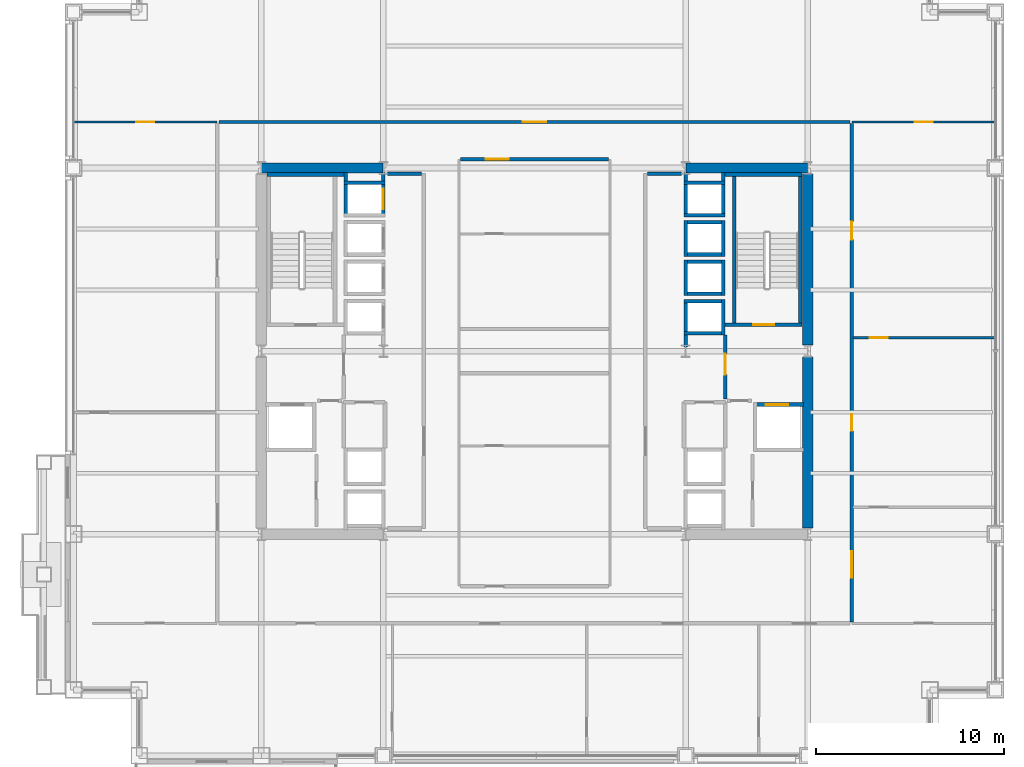
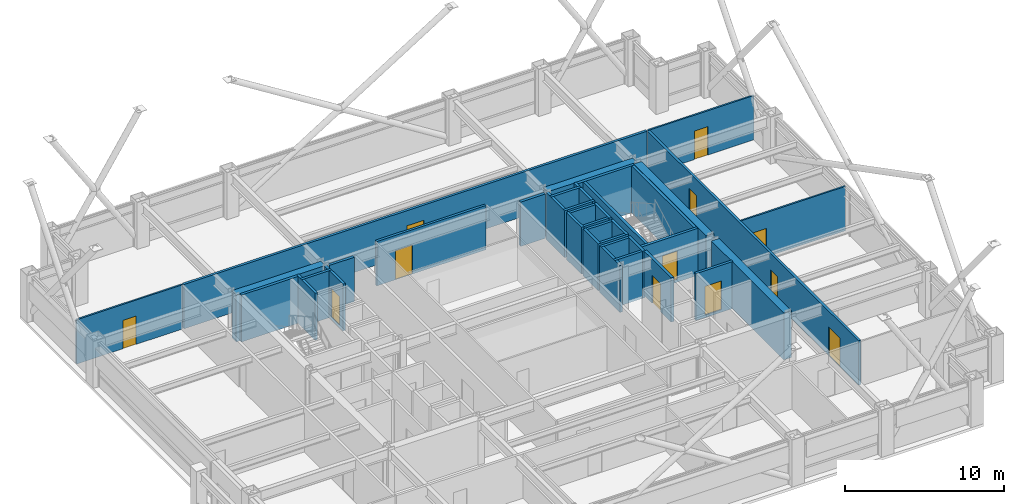
# One storey, part 27 of 30: 38 walls, 12 doors, 12 openings.
"""IFC4 building model written with IfcOpenShell, lengths in metres."""

import ifcopenshell
import ifcopenshell.guid

model = None  # the IFC model being written
_history = None  # IfcOwnerHistory: only IFC2X3 demands one
_inside = {}  # id of a spatial element -> (the spatial element, [elements in it])
_under = {}  # id of a project, library or spatial element -> (it, [spatial elements below it])
_declared = {}  # id of a project -> (the project, [libraries it declares])
_typed = {}  # id of a type object -> (the type object, [elements of that type])
_made_of = {}  # id of a material, layer set ... -> (it, [elements and type objects made of it])


def new_model(schema):
    """Start an empty IFC model of exactly this schema.

    Asked for "IFC4X3", IfcOpenShell would pick the latest addendum, in which some entities
    have other attributes; the version numbers below select the first issue.
    IFC2X3 requires an IfcOwnerHistory on every rooted entity: one is made here for all.
    """
    global model, _history
    if schema == "IFC4X3":
        model = ifcopenshell.file(schema_version=(4, 3, 0, 0))
    else:
        model = ifcopenshell.file(schema=schema)
    _inside.clear()
    _under.clear()
    _declared.clear()
    _typed.clear()
    _made_of.clear()
    _history = None
    if model.schema == "IFC2X3":
        org = make("IfcOrganization", Name="unknown")
        user = make(
            "IfcPersonAndOrganization",
            ThePerson=make("IfcPerson", FamilyName="unknown"),
            TheOrganization=org,
        )
        app = make(
            "IfcApplication",
            ApplicationDeveloper=org,
            Version="unknown",
            ApplicationFullName="unknown",
            ApplicationIdentifier="unknown",
        )
        _history = make(
            "IfcOwnerHistory",
            OwningUser=user,
            OwningApplication=app,
            ChangeAction="ADDED",
            CreationDate=0,
        )
    return model


def make(cls, **values):
    """One entity of the class cls with the attributes given. An attribute that is None is left unset."""
    return model.create_entity(
        cls, **{name: value for name, value in values.items() if value is not None}
    )


def rooted(cls, **values):
    """An entity with a GlobalId (a new one), such as an element, a storey or a relation."""
    return make(cls, GlobalId=ifcopenshell.guid.new(), OwnerHistory=_history, **values)


def si_unit(unit_type, name, prefix=None):
    """IfcSIUnit, for example si_unit("LENGTHUNIT", "METRE", prefix="MILLI")."""
    return make("IfcSIUnit", UnitType=unit_type, Prefix=prefix, Name=name)


def assignment(units):
    """IfcUnitAssignment: the units of a project."""
    return None if units is None else make("IfcUnitAssignment", Units=units)


def point(xyz):
    """IfcCartesianPoint."""
    return None if xyz is None else make("IfcCartesianPoint", Coordinates=xyz)


def direction(xyz):
    """IfcDirection."""
    return None if xyz is None else make("IfcDirection", DirectionRatios=xyz)


def frame(location, z_axis=None, x_axis=None):
    """IfcAxis2Placement3D, a coordinate frame: its origin and axes. An axis left out is left unset."""
    return make(
        "IfcAxis2Placement3D",
        Location=point(location),
        Axis=direction(z_axis),
        RefDirection=direction(x_axis),
    )


def frame_2d(location, x_axis=None):
    """IfcAxis2Placement2D, a coordinate frame in the plane: its origin and x axis."""
    return make(
        "IfcAxis2Placement2D", Location=point(location), RefDirection=direction(x_axis)
    )


def origin():
    """The frame at (0, 0, 0) with its axes left unset."""
    return frame((0.0, 0.0, 0.0))


def place(relative_to, where):
    """IfcLocalPlacement: puts the frame where relative to a parent placement (None: the world)."""
    return make(
        "IfcLocalPlacement", PlacementRelTo=relative_to, RelativePlacement=where
    )


def context(
    kind, dimensions, precision=None, world=None, true_north=None, identifier=None
):
    """IfcGeometricRepresentationContext, for example the 3D "Model" context."""
    return make(
        "IfcGeometricRepresentationContext",
        ContextIdentifier=identifier,
        ContextType=kind,
        CoordinateSpaceDimension=dimensions,
        Precision=precision,
        WorldCoordinateSystem=world,
        TrueNorth=true_north,
    )


def subcontext(parent, identifier, kind, view, scale=None):
    """IfcGeometricRepresentationSubContext, for example "Body" below "Model"."""
    return make(
        "IfcGeometricRepresentationSubContext",
        ContextIdentifier=identifier,
        ContextType=kind,
        ParentContext=parent,
        TargetScale=scale,
        TargetView=view,
    )


def project(units=None, contexts=None):
    """IfcProject with its units and contexts."""
    return rooted(
        "IfcProject",
        Name="project",
        RepresentationContexts=contexts,
        UnitsInContext=assignment(units),
    )


def spatial(cls, under=None, at=None, **own):
    """A site, building, storey or space (cls), placed at a placement, below another one or the project."""
    s = rooted(cls, ObjectPlacement=at, **own)
    if under is not None:
        _under.setdefault(under.id(), (under, []))[1].append(s)
    return s


def profile(cls, at=None, kind="AREA", **sizes):
    """A parametric profile (cls). Its sizes go by their IFC names, for example OverallWidth=200.0."""
    return make(cls, ProfileType=kind, Position=at, **sizes)


def rectangle(**sizes):
    """IfcRectangleProfileDef."""
    return profile("IfcRectangleProfileDef", **sizes)


def extrude(swept, where, along, depth):
    """IfcExtrudedAreaSolid: the profile swept, set in the frame where, extruded along a direction by depth."""
    return make(
        "IfcExtrudedAreaSolid",
        SweptArea=swept,
        Position=where,
        ExtrudedDirection=direction(along),
        Depth=depth,
    )


def shape(context_of_items, identifier, shape_type, items):
    """IfcShapeRepresentation: the items that make up one representation, for example the "Body"."""
    return make(
        "IfcShapeRepresentation",
        ContextOfItems=context_of_items,
        RepresentationIdentifier=identifier,
        RepresentationType=shape_type,
        Items=items,
    )


def material(Name=None, Category=None):
    """IfcMaterial."""
    return make("IfcMaterial", Name=Name, Category=Category)


def layer(
    of_material, thickness, ventilated=None, Name=None, Category=None, Priority=None
):
    """IfcMaterialLayer: one layer of a wall or slab, of a material (None: an air gap)."""
    return make(
        "IfcMaterialLayer",
        Material=of_material,
        LayerThickness=thickness,
        IsVentilated=ventilated,
        Name=Name,
        Category=Category,
        Priority=Priority,
    )


def layer_set(layers, Name=None):
    """IfcMaterialLayerSet."""
    return make("IfcMaterialLayerSet", MaterialLayers=layers, LayerSetName=Name)


def made_of(thing, what):
    """Note that an element or type object is made of a material, layer set ...; save() writes the relation."""
    if what is not None:
        _made_of.setdefault(what.id(), (what, []))[1].append(thing)
    return thing


def type_object(cls, material=None, **own):
    """A type object (cls), such as IfcWallType, which elements share."""
    return made_of(rooted(cls, **own), material)


def element(
    cls,
    number,
    at=None,
    inside=None,
    cuts=None,
    type_object=None,
    material=None,
    context=None,
    identifier="Body",
    shape_type=None,
    held_by="IfcProductDefinitionShape",
    body=None,
    shapes=None,
    **own,
):
    """One element of the class cls, such as IfcWall. Its Tag is "e" and its number.

    at: its placement. inside: the storey or other place that contains it. cuts: it is an
    opening in that element (IfcRelVoidsElement). A single representation is given by context,
    identifier, shape_type and body (its items); several are given by shapes. held_by: the class
    of the entity that holds the representations. save() writes the other relations.
    """
    e = rooted(cls, Tag="e%d" % number, ObjectPlacement=at, **own)
    if body is not None:
        shapes = [shape(context, identifier, shape_type, body)]
    if shapes is not None:
        e.Representation = make(held_by, Representations=shapes)
    if inside is not None:
        _inside.setdefault(inside.id(), (inside, []))[1].append(e)
    if cuts is not None:
        rooted(
            "IfcRelVoidsElement", RelatingBuildingElement=cuts, RelatedOpeningElement=e
        )
    if type_object is not None:
        _typed.setdefault(type_object.id(), (type_object, []))[1].append(e)
    return made_of(e, material)


def fill(opening, filler):
    """IfcRelFillsElement: the door or window that sits in an opening."""
    return rooted(
        "IfcRelFillsElement",
        RelatingOpeningElement=opening,
        RelatedBuildingElement=filler,
    )


def aggregate(whole, parts):
    """IfcRelAggregates: a whole, such as a stair, and the parts it consists of."""
    return rooted("IfcRelAggregates", RelatingObject=whole, RelatedObjects=parts)


def save(model, path):
    """Write the relations noted so far, then the file.

    IfcRelAggregates (storeys below a building ...), IfcRelContainedInSpatialStructure (elements
    in a storey), IfcRelDefinesByType, IfcRelAssociatesMaterial and IfcRelDeclares: one each for
    every whole, place, type object, material and project.
    """
    for whole, parts in _under.values():
        aggregate(whole, parts)
    for where, things in _inside.values():
        rooted(
            "IfcRelContainedInSpatialStructure",
            RelatedElements=things,
            RelatingStructure=where,
        )
    for kind, things in _typed.values():
        rooted("IfcRelDefinesByType", RelatedObjects=things, RelatingType=kind)
    for what, things in _made_of.values():
        rooted("IfcRelAssociatesMaterial", RelatedObjects=things, RelatingMaterial=what)
    for by, libraries in _declared.values():
        rooted("IfcRelDeclares", RelatingContext=by, RelatedDefinitions=libraries)
    model.write(path)


model = new_model("IFC4")

# Units and contexts
model_context = context("Model", 3, precision=1e-05, world=origin(), true_north=direction((0.0, 1.0)))
body_context = subcontext(model_context, "Body", "Model", "MODEL_VIEW")
ifc_project = project(units=[si_unit("LENGTHUNIT", "METRE"), si_unit("AREAUNIT", "SQUARE_METRE"), si_unit("VOLUMEUNIT", "CUBIC_METRE"), si_unit("PLANEANGLEUNIT", "RADIAN"), si_unit("MASSUNIT", "GRAM", prefix="KILO")], contexts=[model_context])

# Site, building, storey
site_placement = place(None, origin())
site = spatial("IfcSite", under=ifc_project, at=site_placement, CompositionType="ELEMENT")
building_placement = place(site_placement, origin())
building = spatial("IfcBuilding", under=site, at=building_placement, Name="Brelmoor Portico Tower", CompositionType="ELEMENT")
storey_placement = place(building_placement, frame((0.0, 0.0, 56.39990234375)))
storey = spatial("IfcBuildingStorey", under=building, at=storey_placement, Name="L14", CompositionType="ELEMENT", Elevation=56.39990234375)

# Walls
ifc_material_1 = material(Name="Concrete C60", Category="concrete")
ifc_layer_1 = layer(ifc_material_1, 0.550048828125)
ifc_layer_set_1 = layer_set([ifc_layer_1], Name="Concrete C60")
wall_type_1 = type_object("IfcWallType", Name="WL-CORE-550", PredefinedType="SHEAR", material=ifc_layer_set_1)
for number, where, z_axis, x_axis, name in (
    (1, (-14.530029296875, 9.75, -0.199951171875), (0.0, 0.0, 1.0), (1.0, 0.0, 0.0), "L14 WC North Shear Wall"),
    (2, (8.070068359375, 9.75, -0.199951171875), (0.0, 0.0, 1.0), (1.0, 0.0, 0.0), "L14 EC North Shear Wall"),
):
    element("IfcWall", number, at=place(storey_placement, frame(where, z_axis=z_axis, x_axis=x_axis)), inside=storey, type_object=wall_type_1, Name=name, PredefinedType="SHEAR", context=body_context, shape_type="SweptSolid", body=[
        extrude(rectangle(XDim=6.4599609375, YDim=0.550048828125, at=frame_2d((3.22998046875, 0.0))), origin(), (0.0, 0.0, 1.0), 3.60009765625),
    ])
for number, where, z_axis, x_axis, name in (
    (3, (14.550048828125, -9.425048828125, -0.199951171875), (0.0, 0.0, 1.0), (0.0, 1.0, 0.0), "L14 EC Outer South Shear Wall"),
    (4, (14.550048828125, 0.324951171875, -0.199951171875), (0.0, 0.0, 1.0), (0.0, 1.0, 0.0), "L14 EC Outer North Shear Wall"),
):
    element("IfcWall", number, at=place(storey_placement, frame(where, z_axis=z_axis, x_axis=x_axis)), inside=storey, type_object=wall_type_1, Name=name, PredefinedType="SHEAR", context=body_context, shape_type="SweptSolid", body=[
        extrude(rectangle(XDim=9.10009765625, YDim=0.550048828125, at=frame_2d((4.550048828125, 0.0))), origin(), (0.0, 0.0, 1.0), 3.60009765625),
    ])

# Wall, opening, door
ifc_material_2 = material(Name="Lightweight Gypsum Office Partition", Category="gypsum")
ifc_layer_2 = layer(ifc_material_2, 0.1201171875)
ifc_layer_set_2 = layer_set([ifc_layer_2], Name="Lightweight Gypsum Office Partition")
wall_type_2 = type_object("IfcWallType", Name="WL-PART-120", PredefinedType="PARTITIONING", material=ifc_layer_set_2)
wall_1_placement = place(storey_placement, frame((-24.56005859375, 12.199951171875, 0.0), z_axis=(0.0, 0.0, 1.0), x_axis=(1.0, 0.0, 0.0)))
wall_1 = element("IfcWall", 5, at=wall_1_placement, inside=storey, type_object=wall_type_2, Name="L14 North Outer Closure WL", PredefinedType="PARTITIONING", context=body_context, shape_type="SweptSolid", body=[
    extrude(rectangle(XDim=7.66015625, YDim=0.1201171875, at=frame_2d((3.830078125, 0.0))), origin(), (0.0, 0.0, 1.0), 3.400146484375),
])
opening_1_placement = place(wall_1_placement, frame((3.35009765625, 0.0, 0.0)))
opening_1 = element("IfcOpeningElement", 6, at=opening_1_placement, cuts=wall_1, Name="Opening D-IN2", PredefinedType="OPENING", context=body_context, shape_type="SweptSolid", body=[
    extrude(rectangle(XDim=0.9599609375, YDim=2.179931640625, at=frame_2d((0.47998046875, 1.08984375))), frame((0.0, 0.070068359375, 0.0), z_axis=(0.0, -1.0, 0.0), x_axis=(1.0, 0.0, 0.0)), (0.0, 0.0, 1.0), 0.14013671875),
])
ifc_material_3 = material(Name="Lacquered Timber Suite Door", Category="wood")
door_type_1 = type_object("IfcDoorType", Name="DR-INT-950", OperationType="NOTDEFINED", PredefinedType="DOOR", material=ifc_material_3)
door_1_placement = place(opening_1_placement, origin())
door_1 = element("IfcDoor", 7, at=door_1_placement, inside=storey, type_object=door_type_1, Name="D-0635 L14 WL North Corner Suite Door", OperationType="SINGLE_SWING_RIGHT", OverallHeight=2.179931640625, OverallWidth=0.9599609375, PredefinedType="DOOR", context=body_context, shape_type="SweptSolid", body=[
    extrude(rectangle(XDim=0.9599609375, YDim=2.179931640625, at=frame_2d((0.47998046875, 1.08984375))), frame((0.0, 0.02490234375, 0.0), z_axis=(0.0, -1.0, 0.0), x_axis=(1.0, 0.0, 0.0)), (0.0, 0.0, 1.0), 0.050048828125),
])
fill(opening_1, door_1)

wall_2_placement = place(storey_placement, frame((16.89990234375, 12.199951171875, 0.0), z_axis=(0.0, 0.0, 1.0), x_axis=(1.0, 0.0, 0.0)))
wall_2 = element("IfcWall", 8, at=wall_2_placement, inside=storey, type_object=wall_type_2, Name="L14 North Outer Closure ER", PredefinedType="PARTITIONING", context=body_context, shape_type="SweptSolid", body=[
    extrude(rectangle(XDim=7.66015625, YDim=0.1201171875, at=frame_2d((3.830078125, 0.0))), origin(), (0.0, 0.0, 1.0), 3.400146484375),
])
opening_2_placement = place(wall_2_placement, frame((3.35009765625, 0.0, 0.0)))
opening_2 = element("IfcOpeningElement", 9, at=opening_2_placement, cuts=wall_2, Name="Opening D-IN2", PredefinedType="OPENING", context=body_context, shape_type="SweptSolid", body=[
    extrude(rectangle(XDim=0.9599609375, YDim=2.179931640625, at=frame_2d((0.47998046875, 1.08984375))), frame((0.0, 0.070068359375, 0.0), z_axis=(0.0, -1.0, 0.0), x_axis=(1.0, 0.0, 0.0)), (0.0, 0.0, 1.0), 0.14013671875),
])
door_2_placement = place(opening_2_placement, origin())
door_2 = element("IfcDoor", 10, at=door_2_placement, inside=storey, type_object=door_type_1, Name="D-0634 L14 ER North Corner Suite Door", OperationType="SINGLE_SWING_LEFT", OverallHeight=2.179931640625, OverallWidth=0.9599609375, PredefinedType="DOOR", context=body_context, shape_type="SweptSolid", body=[
    extrude(rectangle(XDim=0.9599609375, YDim=2.179931640625, at=frame_2d((0.47998046875, 1.08984375))), frame((0.0, 0.02490234375, 0.0), z_axis=(0.0, -1.0, 0.0), x_axis=(1.0, 0.0, 0.0)), (0.0, 0.0, 1.0), 0.050048828125),
])
fill(opening_2, door_2)

wall_3_placement = place(storey_placement, frame((16.9599609375, 0.707763671875, 0.0), z_axis=(0.0, 0.0, 1.0), x_axis=(1.0, 0.0, 0.0)))
wall_3 = element("IfcWall", 11, at=wall_3_placement, inside=storey, type_object=wall_type_2, Name="L14 E Wing Partition 2", PredefinedType="PARTITIONING", context=body_context, shape_type="SweptSolid", body=[
    extrude(rectangle(XDim=7.60009765625, YDim=0.1201171875, at=frame_2d((3.800048828125, 0.0))), origin(), (0.0, 0.0, 1.0), 3.400146484375),
])
opening_3_placement = place(wall_3_placement, frame((0.89990234375, 0.0, 0.0)))
opening_3 = element("IfcOpeningElement", 12, at=opening_3_placement, cuts=wall_3, Name="Opening D-IN2", PredefinedType="OPENING", context=body_context, shape_type="SweptSolid", body=[
    extrude(rectangle(XDim=0.9599609375, YDim=2.179931640625, at=frame_2d((0.47998046875, 1.08984375))), frame((0.0, 0.070068359375, 0.0), z_axis=(0.0, -1.0, 0.0), x_axis=(1.0, 0.0, 0.0)), (0.0, 0.0, 1.0), 0.14013671875),
])
door_3_placement = place(opening_3_placement, origin())
door_3 = element("IfcDoor", 13, at=door_3_placement, inside=storey, type_object=door_type_1, Name="D-0653 L14 E Wing Suite Connecting Door 2", OperationType="SINGLE_SWING_RIGHT", OverallHeight=2.179931640625, OverallWidth=0.9599609375, PredefinedType="DOOR", context=body_context, shape_type="SweptSolid", body=[
    extrude(rectangle(XDim=0.9599609375, YDim=2.179931640625, at=frame_2d((0.47998046875, 1.08984375))), frame((0.0, 0.02490234375, 0.0), z_axis=(0.0, -1.0, 0.0), x_axis=(1.0, 0.0, 0.0)), (0.0, 0.0, 1.0), 0.050048828125),
])
fill(opening_3, door_3)

ifc_material_4 = material(Name="Acoustic Corridor Fire Partition", Category="gypsum")
ifc_layer_3 = layer(ifc_material_4, 0.179931640625)
ifc_layer_set_3 = layer_set([ifc_layer_3], Name="Acoustic Corridor Fire Partition")
wall_type_3 = type_object("IfcWallType", Name="WL-PART-180", PredefinedType="PARTITIONING", material=ifc_layer_set_3)
wall_4_placement = place(storey_placement, frame((-3.949951171875, 10.219970703125, 0.0), z_axis=(0.0, 0.0, 1.0), x_axis=(1.0, 0.0, 0.0)))
wall_4 = element("IfcWall", 14, at=wall_4_placement, inside=storey, type_object=wall_type_3, Name="L14 Central Meeting Corridor Wall", PredefinedType="PARTITIONING", context=body_context, shape_type="SweptSolid", body=[
    extrude(rectangle(XDim=7.89990234375, YDim=0.179931640625, at=frame_2d((3.949951171875, 0.0))), origin(), (0.0, 0.0, 1.0), 3.400146484375),
])
opening_4_placement = place(wall_4_placement, frame((1.35009765625, 0.0, 0.0)))
opening_4 = element("IfcOpeningElement", 15, at=opening_4_placement, cuts=wall_4, Name="Opening D-SU1", PredefinedType="OPENING", context=body_context, shape_type="SweptSolid", body=[
    extrude(rectangle(XDim=1.239990234375, YDim=2.239990234375, at=frame_2d((0.6201171875, 1.1201171875))), frame((0.0, 0.099853515625, 0.0), z_axis=(0.0, -1.0, 0.0), x_axis=(1.0, 0.0, 0.0)), (0.0, 0.0, 1.0), 0.199951171875),
])
ifc_material_5 = material(Name="Glazed Timber Executive Suite Door", Category="wood")
door_type_2 = type_object("IfcDoorType", Name="DR-SUITE-1200", OperationType="NOTDEFINED", PredefinedType="DOOR", material=ifc_material_5)
door_4_placement = place(opening_4_placement, origin())
door_4 = element("IfcDoor", 16, at=door_4_placement, inside=storey, type_object=door_type_2, Name="D-0619 L14 Client Meeting Room Door", OperationType="SINGLE_SWING_LEFT", OverallHeight=2.239990234375, OverallWidth=1.239990234375, PredefinedType="DOOR", context=body_context, shape_type="SweptSolid", body=[
    extrude(rectangle(XDim=1.239990234375, YDim=2.239990234375, at=frame_2d((0.6201171875, 1.1201171875))), frame((0.0, 0.02490234375, 0.0), z_axis=(0.0, -1.0, 0.0), x_axis=(1.0, 0.0, 0.0)), (0.0, 0.0, 1.0), 0.050048828125),
])
fill(opening_4, door_4)

wall_5_placement = place(storey_placement, frame((-16.800048828125, 12.199951171875, 0.0), z_axis=(0.0, 0.0, 1.0), x_axis=(1.0, 0.0, 0.0)))
wall_5 = element("IfcWall", 17, at=wall_5_placement, inside=storey, type_object=wall_type_3, Name="L14 North Corridor Partition", PredefinedType="PARTITIONING", context=body_context, shape_type="SweptSolid", body=[
    extrude(rectangle(XDim=33.60009765625, YDim=0.179931640625, at=frame_2d((16.800048828125, 0.0))), origin(), (0.0, 0.0, 1.0), 3.400146484375),
])
opening_5_placement = place(wall_5_placement, frame((16.179931640625, 0.0, 0.0)))
opening_5 = element("IfcOpeningElement", 18, at=opening_5_placement, cuts=wall_5, Name="Opening D-SU1", PredefinedType="OPENING", context=body_context, shape_type="SweptSolid", body=[
    extrude(rectangle(XDim=1.239990234375, YDim=2.239990234375, at=frame_2d((0.6201171875, 1.1201171875))), frame((0.0, 0.099853515625, 0.0), z_axis=(0.0, -1.0, 0.0), x_axis=(1.0, 0.0, 0.0)), (0.0, 0.0, 1.0), 0.199951171875),
])
door_5_placement = place(opening_5_placement, origin())
door_5 = element("IfcDoor", 19, at=door_5_placement, inside=storey, type_object=door_type_2, Name="D-0633 L14 North Project Reception Concierge 1 Door", OperationType="SINGLE_SWING_LEFT", OverallHeight=2.239990234375, OverallWidth=1.239990234375, PredefinedType="DOOR", context=body_context, shape_type="SweptSolid", body=[
    extrude(rectangle(XDim=1.239990234375, YDim=2.239990234375, at=frame_2d((0.6201171875, 1.1201171875))), frame((0.0, 0.02490234375, 0.0), z_axis=(0.0, -1.0, 0.0), x_axis=(1.0, 0.0, 0.0)), (0.0, 0.0, 1.0), 0.050048828125),
])
fill(opening_5, door_5)

# Wall, openings, doors
wall_6_placement = place(storey_placement, frame((16.89990234375, -14.419921875, 0.0), z_axis=(0.0, 0.0, 1.0), x_axis=(0.0, 1.0, 0.0)))
wall_6 = element("IfcWall", 20, at=wall_6_placement, inside=storey, type_object=wall_type_3, Name="L14 E Wing Corridor Wall", PredefinedType="PARTITIONING", context=body_context, shape_type="SweptSolid", body=[
    extrude(rectangle(XDim=26.5400390625, YDim=0.179931640625, at=frame_2d((13.27001953125, 0.0))), origin(), (0.0, 0.0, 1.0), 3.400146484375),
])
opening_6_placement = place(wall_6_placement, frame((2.35205078125, 0.0, 0.0)))
opening_6 = element("IfcOpeningElement", 21, at=opening_6_placement, cuts=wall_6, Name="Opening D-SU2", PredefinedType="OPENING", context=body_context, shape_type="SweptSolid", body=[
    extrude(rectangle(XDim=1.39990234375, YDim=2.199951171875, at=frame_2d((0.699951171875, 1.10009765625))), frame((0.0, 0.099853515625, 0.0), z_axis=(0.0, -1.0, 0.0), x_axis=(1.0, 0.0, 0.0)), (0.0, 0.0, 1.0), 0.199951171875),
])
opening_7_placement = place(wall_6_placement, frame((10.166015625, 0.0, 0.0)))
opening_7 = element("IfcOpeningElement", 22, at=opening_7_placement, cuts=wall_6, Name="Opening D-IN1", PredefinedType="OPENING", context=body_context, shape_type="SweptSolid", body=[
    extrude(rectangle(XDim=0.89990234375, YDim=2.14990234375, at=frame_2d((0.449951171875, 1.074951171875))), frame((0.0, 0.099853515625, 0.0), z_axis=(0.0, -1.0, 0.0), x_axis=(1.0, 0.0, 0.0)), (0.0, 0.0, 1.0), 0.199951171875),
])
opening_8_placement = place(wall_6_placement, frame((20.35400390625, 0.0, 0.0)))
opening_8 = element("IfcOpeningElement", 23, at=opening_8_placement, cuts=wall_6, Name="Opening D-IN2", PredefinedType="OPENING", context=body_context, shape_type="SweptSolid", body=[
    extrude(rectangle(XDim=0.9599609375, YDim=2.179931640625, at=frame_2d((0.47998046875, 1.08984375))), frame((0.0, 0.099853515625, 0.0), z_axis=(0.0, -1.0, 0.0), x_axis=(1.0, 0.0, 0.0)), (0.0, 0.0, 1.0), 0.199951171875),
])
door_type_3 = type_object("IfcDoorType", Name="DR-INT-900", OperationType="NOTDEFINED", PredefinedType="DOOR", material=ifc_material_3)
door_6_placement = place(opening_7_placement, origin())
door_6 = element("IfcDoor", 24, at=door_6_placement, inside=storey, type_object=door_type_3, Name="D-0650 L14 E Technical Archive Store 2 Door", OperationType="SINGLE_SWING_LEFT", OverallHeight=2.14990234375, OverallWidth=0.89990234375, PredefinedType="DOOR", context=body_context, shape_type="SweptSolid", body=[
    extrude(rectangle(XDim=0.89990234375, YDim=2.14990234375, at=frame_2d((0.449951171875, 1.074951171875))), frame((0.0, 0.02490234375, 0.0), z_axis=(0.0, -1.0, 0.0), x_axis=(1.0, 0.0, 0.0)), (0.0, 0.0, 1.0), 0.050048828125),
])
fill(opening_7, door_6)
door_7_placement = place(opening_8_placement, origin())
door_7 = element("IfcDoor", 25, at=door_7_placement, inside=storey, type_object=door_type_1, Name="D-0651 L14 E Open-Plan Office 3 Door", OperationType="SINGLE_SWING_RIGHT", OverallHeight=2.179931640625, OverallWidth=0.9599609375, PredefinedType="DOOR", context=body_context, shape_type="SweptSolid", body=[
    extrude(rectangle(XDim=0.9599609375, YDim=2.179931640625, at=frame_2d((0.47998046875, 1.08984375))), frame((0.0, 0.02490234375, 0.0), z_axis=(0.0, -1.0, 0.0), x_axis=(1.0, 0.0, 0.0)), (0.0, 0.0, 1.0), 0.050048828125),
])
fill(opening_8, door_7)
ifc_material_6 = material(Name="Double-Leaf Acoustic Suite Door", Category="timber")
door_type_4 = type_object("IfcDoorType", Name="DR-SUITE-1400", OperationType="NOTDEFINED", PredefinedType="DOOR", material=ifc_material_6)
door_8_placement = place(opening_6_placement, origin())
door_8 = element("IfcDoor", 26, at=door_8_placement, inside=storey, type_object=door_type_4, Name="D-0649 L14 E First-Aid Consultation Room 1 Door", OperationType="DOUBLE_DOOR_SINGLE_SWING", OverallHeight=2.199951171875, OverallWidth=1.39990234375, PredefinedType="DOOR", context=body_context, shape_type="SweptSolid", body=[
    extrude(rectangle(XDim=1.39990234375, YDim=2.199951171875, at=frame_2d((0.699951171875, 1.10009765625))), frame((0.0, 0.02490234375, 0.0), z_axis=(0.0, -1.0, 0.0), x_axis=(1.0, 0.0, 0.0)), (0.0, 0.0, 1.0), 0.050048828125),
])
fill(opening_6, door_8)

# Walls
ifc_material_7 = material(Name="Double-Stud Gypsum Fire Partition", Category="gypsum")
ifc_layer_4 = layer(ifc_material_7, 0.199951171875)
ifc_layer_set_4 = layer_set([ifc_layer_4], Name="Double-Stud Gypsum Fire Partition")
wall_type_4 = type_object("IfcWallType", Name="WL-PART-200", PredefinedType="PARTITIONING", material=ifc_layer_set_4)
for number, where, z_axis, x_axis, name in (
    (27, (-6.02001953125, 9.449951171875, 0.0), (0.0, 0.0, 1.0), (-1.0, 0.0, 0.0), "L14 W Lift Lobby North End Wall"),
    (28, (6.02001953125, 9.449951171875, 0.0), (0.0, 0.0, 1.0), (1.0, 0.0, 0.0), "L14 E Lift Lobby North End Wall"),
):
    element("IfcWall", number, at=place(storey_placement, frame(where, z_axis=z_axis, x_axis=x_axis)), inside=storey, type_object=wall_type_4, Name=name, PredefinedType="PARTITIONING", context=body_context, shape_type="SweptSolid", body=[
        extrude(rectangle(XDim=1.800048828125, YDim=0.199951171875, at=frame_2d((0.89990234375, 0.0))), origin(), (0.0, 0.0, 1.0), 3.400146484375),
    ])

# Wall, opening, door
wall_7_placement = place(storey_placement, frame((10.159912109375, -2.550048828125, 0.0), z_axis=(0.0, 0.0, 1.0), x_axis=(0.0, 1.0, 0.0)))
wall_7 = element("IfcWall", 29, at=wall_7_placement, inside=storey, type_object=wall_type_4, Name="L14 E Firefighting Lobby Wall", PredefinedType="PARTITIONING", context=body_context, shape_type="SweptSolid", body=[
    extrude(rectangle(XDim=3.400146484375, YDim=0.199951171875, at=frame_2d((1.7001953125, 0.0))), origin(), (0.0, 0.0, 1.0), 3.400146484375),
])
opening_9_placement = place(wall_7_placement, frame((1.300048828125, 0.0, 0.0)))
opening_9 = element("IfcOpeningElement", 30, at=opening_9_placement, cuts=wall_7, Name="Opening D-FR1", PredefinedType="OPENING", context=body_context, shape_type="SweptSolid", body=[
    extrude(rectangle(XDim=1.10009765625, YDim=2.14990234375, at=frame_2d((0.550048828125, 1.074951171875))), frame((0.0, 0.10986328125, 0.0), z_axis=(0.0, -1.0, 0.0), x_axis=(1.0, 0.0, 0.0)), (0.0, 0.0, 1.0), 0.219970703125),
])
ifc_material_8 = material(Name="Painted Galvanised Steel Fire Door", Category="steel")
door_type_5 = type_object("IfcDoorType", Name="DR-FIRE-1100", OperationType="NOTDEFINED", PredefinedType="DOOR", material=ifc_material_8)
door_9_placement = place(opening_9_placement, origin())
door_9 = element("IfcDoor", 31, at=door_9_placement, inside=storey, type_object=door_type_5, Name="D-0629 L14 E Firefighting Lobby Door", OperationType="SINGLE_SWING_LEFT", OverallHeight=2.14990234375, OverallWidth=1.10009765625, PredefinedType="DOOR", context=body_context, shape_type="SweptSolid", body=[
    extrude(rectangle(XDim=1.10009765625, YDim=2.14990234375, at=frame_2d((0.550048828125, 1.074951171875))), frame((0.0, 0.02490234375, 0.0), z_axis=(0.0, -1.0, 0.0), x_axis=(1.0, 0.0, 0.0)), (0.0, 0.0, 1.0), 0.050048828125),
])
fill(opening_9, door_9)

ifc_material_9 = material(Name="Precast Concrete C40", Category="concrete")
ifc_layer_5 = layer(ifc_material_9, 0.18994140625)
ifc_layer_set_5 = layer_set([ifc_layer_5], Name="Precast Concrete C40")
wall_type_5 = type_object("IfcWallType", Name="WL-SHAFT-180", PredefinedType="SOLIDWALL", material=ifc_layer_set_5)
wall_8_placement = place(storey_placement, frame((-8.044921875, 7.14990234375, -0.199951171875), z_axis=(0.0, 0.0, 1.0), x_axis=(0.0, 1.0, 0.0)))
wall_8 = element("IfcWall", 32, at=wall_8_placement, inside=storey, type_object=wall_type_5, Name="L14 Lift PL4 Hoistway Front Wall", PredefinedType="SOLIDWALL", context=body_context, shape_type="SweptSolid", body=[
    extrude(rectangle(XDim=2.3701171875, YDim=0.18994140625, at=frame_2d((1.18505859375, 0.0))), origin(), (0.0, 0.0, 1.0), 3.60009765625),
])
opening_10_placement = place(wall_8_placement, frame((0.39990234375, 0.0, 0.199951171875)))
opening_10 = element("IfcOpeningElement", 33, at=opening_10_placement, cuts=wall_8, Name="Opening LD-01", PredefinedType="OPENING", context=body_context, shape_type="SweptSolid", body=[
    extrude(rectangle(XDim=1.10009765625, YDim=2.199951171875, at=frame_2d((0.550048828125, 1.10009765625))), frame((0.0, 0.10498046875, 0.0), z_axis=(0.0, -1.0, 0.0), x_axis=(1.0, 0.0, 0.0)), (0.0, 0.0, 1.0), 0.2099609375),
])
ifc_material_10 = material(Name="Brushed Stainless Steel Sliding Lift Door", Category="steel")
door_type_6 = type_object("IfcDoorType", Name="DR-LIFT-1100", OperationType="NOTDEFINED", PredefinedType="DOOR", material=ifc_material_10)
door_10_placement = place(opening_10_placement, origin())
door_10 = element("IfcDoor", 34, at=door_10_placement, inside=storey, type_object=door_type_6, Name="D-0662 L14 Lift PL4 Sliding Landing Door", OperationType="SLIDING_TO_LEFT", OverallHeight=2.199951171875, OverallWidth=1.10009765625, PredefinedType="DOOR", context=body_context, shape_type="SweptSolid", body=[
    extrude(rectangle(XDim=1.10009765625, YDim=2.199951171875, at=frame_2d((0.550048828125, 1.10009765625))), frame((0.0, 0.02490234375, 0.0), z_axis=(0.0, -1.0, 0.0), x_axis=(1.0, 0.0, 0.0)), (0.0, 0.0, 1.0), 0.050048828125),
])
fill(opening_10, door_10)

# Walls
wall_9_placement = place(storey_placement, frame((-10.054931640625, 7.14990234375, -0.199951171875), z_axis=(0.0, 0.0, 1.0), x_axis=(0.0, 1.0, 0.0)))
element("IfcWall", 35, at=wall_9_placement, inside=storey, type_object=wall_type_5, Name="L14 Lift PL4 Hoistway Back Wall", PredefinedType="SOLIDWALL", context=body_context, shape_type="SweptSolid", body=[
    extrude(rectangle(XDim=2.3701171875, YDim=0.18994140625, at=frame_2d((1.18505859375, 0.0))), origin(), (0.0, 0.0, 1.0), 3.60009765625),
])
wall_10_placement = place(storey_placement, frame((-10.14990234375, 8.955078125, -0.199951171875), z_axis=(0.0, 0.0, 1.0), x_axis=(1.0, 0.0, 0.0)))
element("IfcWall", 36, at=wall_10_placement, inside=storey, type_object=wall_type_5, Name="L14 Lift PL4 Hoistway North Wall", PredefinedType="SOLIDWALL", context=body_context, shape_type="SweptSolid", body=[
    extrude(rectangle(XDim=2.199951171875, YDim=0.18994140625, at=frame_2d((1.10009765625, 0.0))), origin(), (0.0, 0.0, 1.0), 3.60009765625),
])
wall_11_placement = place(storey_placement, frame((8.044921875, 0.2099609375, -0.199951171875), z_axis=(0.0, 0.0, 1.0), x_axis=(0.0, 1.0, 0.0)))
element("IfcWall", 37, at=wall_11_placement, inside=storey, type_object=wall_type_5, Name="L14 Lift PM1 Hoistway Front Wall", PredefinedType="SOLIDWALL", context=body_context, shape_type="SweptSolid", body=[
    extrude(rectangle(XDim=2.5400390625, YDim=0.18994140625, at=frame_2d((1.27001953125, 0.0))), origin(), (0.0, 0.0, 1.0), 3.60009765625),
])
wall_12_placement = place(storey_placement, frame((10.054931640625, 0.85009765625, -0.199951171875), z_axis=(0.0, 0.0, 1.0), x_axis=(0.0, 1.0, 0.0)))
element("IfcWall", 38, at=wall_12_placement, inside=storey, type_object=wall_type_5, Name="L14 Lift PM1 Hoistway Back Wall", PredefinedType="SOLIDWALL", context=body_context, shape_type="SweptSolid", body=[
    extrude(rectangle(XDim=1.89990234375, YDim=0.18994140625, at=frame_2d((0.949951171875, 0.0))), origin(), (0.0, 0.0, 1.0), 3.60009765625),
])
for number, where, z_axis, x_axis, name in (
    (39, (7.949951171875, 2.655029296875, -0.199951171875), (0.0, 0.0, 1.0), (1.0, 0.0, 0.0), "L14 Lift PM1 Hoistway North Wall"),
    (40, (7.949951171875, 0.945068359375, -0.199951171875), (0.0, 0.0, 1.0), (1.0, 0.0, 0.0), "L14 Lift PM1 Hoistway South Wall"),
):
    element("IfcWall", number, at=place(storey_placement, frame(where, z_axis=z_axis, x_axis=x_axis)), inside=storey, type_object=wall_type_5, Name=name, PredefinedType="SOLIDWALL", context=body_context, shape_type="SweptSolid", body=[
        extrude(rectangle(XDim=2.199951171875, YDim=0.18994140625, at=frame_2d((1.10009765625, 0.0))), origin(), (0.0, 0.0, 1.0), 3.60009765625),
    ])
for number, where, z_axis, x_axis, name in (
    (41, (8.044921875, 2.949951171875, -0.199951171875), (0.0, 0.0, 1.0), (0.0, 1.0, 0.0), "L14 Lift PM2 Hoistway Front Wall"),
    (42, (10.054931640625, 2.949951171875, -0.199951171875), (0.0, 0.0, 1.0), (0.0, 1.0, 0.0), "L14 Lift PM2 Hoistway Back Wall"),
):
    element("IfcWall", number, at=place(storey_placement, frame(where, z_axis=z_axis, x_axis=x_axis)), inside=storey, type_object=wall_type_5, Name=name, PredefinedType="SOLIDWALL", context=body_context, shape_type="SweptSolid", body=[
        extrude(rectangle(XDim=1.900146484375, YDim=0.18994140625, at=frame_2d((0.9501953125, 0.0))), origin(), (0.0, 0.0, 1.0), 3.60009765625),
    ])
for number, where, z_axis, x_axis, name in (
    (43, (7.949951171875, 4.7548828125, -0.199951171875), (0.0, 0.0, 1.0), (1.0, 0.0, 0.0), "L14 Lift PM2 Hoistway North Wall"),
    (44, (7.949951171875, 3.044921875, -0.199951171875), (0.0, 0.0, 1.0), (1.0, 0.0, 0.0), "L14 Lift PM2 Hoistway South Wall"),
):
    element("IfcWall", number, at=place(storey_placement, frame(where, z_axis=z_axis, x_axis=x_axis)), inside=storey, type_object=wall_type_5, Name=name, PredefinedType="SOLIDWALL", context=body_context, shape_type="SweptSolid", body=[
        extrude(rectangle(XDim=2.199951171875, YDim=0.18994140625, at=frame_2d((1.10009765625, 0.0))), origin(), (0.0, 0.0, 1.0), 3.60009765625),
    ])
for number, where, z_axis, x_axis, name in (
    (45, (8.044921875, 5.050048828125, -0.199951171875), (0.0, 0.0, 1.0), (0.0, 1.0, 0.0), "L14 Lift PM3 Hoistway Front Wall"),
    (46, (10.054931640625, 5.050048828125, -0.199951171875), (0.0, 0.0, 1.0), (0.0, 1.0, 0.0), "L14 Lift PM3 Hoistway Back Wall"),
):
    element("IfcWall", number, at=place(storey_placement, frame(where, z_axis=z_axis, x_axis=x_axis)), inside=storey, type_object=wall_type_5, Name=name, PredefinedType="SOLIDWALL", context=body_context, shape_type="SweptSolid", body=[
        extrude(rectangle(XDim=1.89990234375, YDim=0.18994140625, at=frame_2d((0.949951171875, 0.0))), origin(), (0.0, 0.0, 1.0), 3.60009765625),
    ])
for number, where, z_axis, x_axis, name in (
    (47, (7.949951171875, 6.85498046875, -0.199951171875), (0.0, 0.0, 1.0), (1.0, 0.0, 0.0), "L14 Lift PM3 Hoistway North Wall"),
    (48, (7.949951171875, 5.14501953125, -0.199951171875), (0.0, 0.0, 1.0), (1.0, 0.0, 0.0), "L14 Lift PM3 Hoistway South Wall"),
):
    element("IfcWall", number, at=place(storey_placement, frame(where, z_axis=z_axis, x_axis=x_axis)), inside=storey, type_object=wall_type_5, Name=name, PredefinedType="SOLIDWALL", context=body_context, shape_type="SweptSolid", body=[
        extrude(rectangle(XDim=2.199951171875, YDim=0.18994140625, at=frame_2d((1.10009765625, 0.0))), origin(), (0.0, 0.0, 1.0), 3.60009765625),
    ])
for number, where, z_axis, x_axis, name in (
    (49, (8.044921875, 7.14990234375, -0.199951171875), (0.0, 0.0, 1.0), (0.0, 1.0, 0.0), "L14 Lift PM4 Hoistway Front Wall"),
    (50, (10.054931640625, 7.14990234375, -0.199951171875), (0.0, 0.0, 1.0), (0.0, 1.0, 0.0), "L14 Lift PM4 Hoistway Back Wall"),
):
    element("IfcWall", number, at=place(storey_placement, frame(where, z_axis=z_axis, x_axis=x_axis)), inside=storey, type_object=wall_type_5, Name=name, PredefinedType="SOLIDWALL", context=body_context, shape_type="SweptSolid", body=[
        extrude(rectangle(XDim=2.3701171875, YDim=0.18994140625, at=frame_2d((1.18505859375, 0.0))), origin(), (0.0, 0.0, 1.0), 3.60009765625),
    ])
for number, where, z_axis, x_axis, name in (
    (51, (7.949951171875, 8.955078125, -0.199951171875), (0.0, 0.0, 1.0), (1.0, 0.0, 0.0), "L14 Lift PM4 Hoistway North Wall"),
    (52, (7.949951171875, 7.2451171875, -0.199951171875), (0.0, 0.0, 1.0), (1.0, 0.0, 0.0), "L14 Lift PM4 Hoistway South Wall"),
):
    element("IfcWall", number, at=place(storey_placement, frame(where, z_axis=z_axis, x_axis=x_axis)), inside=storey, type_object=wall_type_5, Name=name, PredefinedType="SOLIDWALL", context=body_context, shape_type="SweptSolid", body=[
        extrude(rectangle(XDim=2.199951171875, YDim=0.18994140625, at=frame_2d((1.10009765625, 0.0))), origin(), (0.0, 0.0, 1.0), 3.60009765625),
    ])

# Wall, opening, door
wall_13_placement = place(storey_placement, frame((11.64990234375, -2.844970703125, -0.199951171875), z_axis=(0.0, 0.0, 1.0), x_axis=(1.0, 0.0, 0.0)))
wall_13 = element("IfcWall", 53, at=wall_13_placement, inside=storey, type_object=wall_type_5, Name="L14 Lift FF2 Hoistway Front Wall", PredefinedType="SOLIDWALL", context=body_context, shape_type="SweptSolid", body=[
    extrude(rectangle(XDim=2.68017578125, YDim=0.18994140625, at=frame_2d((1.340087890625, 0.0))), origin(), (0.0, 0.0, 1.0), 3.60009765625),
])
opening_11_placement = place(wall_13_placement, frame((0.64990234375, 0.0, 0.199951171875)))
opening_11 = element("IfcOpeningElement", 54, at=opening_11_placement, cuts=wall_13, Name="Opening LD-02", PredefinedType="OPENING", context=body_context, shape_type="SweptSolid", body=[
    extrude(rectangle(XDim=1.199951171875, YDim=2.199951171875, at=frame_2d((0.60009765625, 1.10009765625))), frame((0.0, 0.10498046875, 0.0), z_axis=(0.0, -1.0, 0.0), x_axis=(1.0, 0.0, 0.0)), (0.0, 0.0, 1.0), 0.2099609375),
])
ifc_material_11 = material(Name="Brushed Stainless Steel Firefighting Lift Door", Category="steel")
door_type_7 = type_object("IfcDoorType", Name="DR-LIFT-1200", OperationType="NOTDEFINED", PredefinedType="DOOR", material=ifc_material_11)
door_11_placement = place(opening_11_placement, origin())
door_11 = element("IfcDoor", 55, at=door_11_placement, inside=storey, type_object=door_type_7, Name="D-0658 L14 Lift FF2 Sliding Landing Door", OperationType="SLIDING_TO_LEFT", OverallHeight=2.199951171875, OverallWidth=1.199951171875, PredefinedType="DOOR", context=body_context, shape_type="SweptSolid", body=[
    extrude(rectangle(XDim=1.199951171875, YDim=2.199951171875, at=frame_2d((0.60009765625, 1.10009765625))), frame((0.0, 0.02490234375, 0.0), z_axis=(0.0, -1.0, 0.0), x_axis=(1.0, 0.0, 0.0)), (0.0, 0.0, 1.0), 0.050048828125),
])
fill(opening_11, door_11)

# Walls
ifc_material_12 = material(Name="Concrete C40", Category="concrete")
ifc_layer_6 = layer(ifc_material_12, 0.199951171875)
ifc_layer_set_6 = layer_set([ifc_layer_6], Name="Concrete C40")
wall_type_6 = type_object("IfcWallType", Name="WL-SHAFT-RC200", PredefinedType="SOLIDWALL", material=ifc_layer_set_6)
wall_14_placement = place(storey_placement, frame((14.14990234375, 1.5, -0.199951171875), z_axis=(0.0, 0.0, 1.0), x_axis=(0.0, 1.0, 0.0)))
element("IfcWall", 56, at=wall_14_placement, inside=storey, type_object=wall_type_6, Name="L14 ST-E Structural Stair Wall Outer", PredefinedType="SOLIDWALL", context=body_context, shape_type="SweptSolid", body=[
    extrude(rectangle(XDim=7.800048828125, YDim=0.199951171875, at=frame_2d((3.89990234375, 0.0))), origin(), (0.0, 0.0, 1.0), 3.60009765625),
])
wall_15_placement = place(storey_placement, frame((-14.25, 9.39990234375, -0.199951171875), z_axis=(0.0, 0.0, 1.0), x_axis=(1.0, 0.0, 0.0)))
element("IfcWall", 57, at=wall_15_placement, inside=storey, type_object=wall_type_6, Name="L14 ST-W Structural Stair Wall N", PredefinedType="SOLIDWALL", context=body_context, shape_type="SweptSolid", body=[
    extrude(rectangle(XDim=4.10009765625, YDim=0.199951171875, at=frame_2d((2.050048828125, 0.0))), origin(), (0.0, 0.0, 1.0), 3.60009765625),
])

# Wall, opening, door
wall_16_placement = place(storey_placement, frame((10.14990234375, 1.39990234375, -0.199951171875), z_axis=(0.0, 0.0, 1.0), x_axis=(1.0, 0.0, 0.0)))
wall_16 = element("IfcWall", 58, at=wall_16_placement, inside=storey, type_object=wall_type_6, Name="L14 ST-E Structural Stair Wall S", PredefinedType="SOLIDWALL", context=body_context, shape_type="SweptSolid", body=[
    extrude(rectangle(XDim=4.10009765625, YDim=0.199951171875, at=frame_2d((2.050048828125, 0.0))), origin(), (0.0, 0.0, 1.0), 3.60009765625),
])
opening_12_placement = place(wall_16_placement, frame((1.5, 0.0, 0.199951171875)))
opening_12 = element("IfcOpeningElement", 59, at=opening_12_placement, cuts=wall_16, Name="Opening D-ST1", PredefinedType="OPENING", context=body_context, shape_type="SweptSolid", body=[
    extrude(rectangle(XDim=1.1201171875, YDim=2.179931640625, at=frame_2d((0.56005859375, 1.08984375))), frame((0.0, 0.10986328125, 0.0), z_axis=(0.0, -1.0, 0.0), x_axis=(1.0, 0.0, 0.0)), (0.0, 0.0, 1.0), 0.219970703125),
])
door_type_8 = type_object("IfcDoorType", Name="DR-STAIR-1100", OperationType="NOTDEFINED", PredefinedType="DOOR", material=ifc_material_8)
door_12_placement = place(opening_12_placement, origin())
door_12 = element("IfcDoor", 60, at=door_12_placement, inside=storey, type_object=door_type_8, Name="D-0643 L14 ST-E Protected Exit Stair Door", OperationType="SINGLE_SWING_RIGHT", OverallHeight=2.179931640625, OverallWidth=1.1201171875, PredefinedType="DOOR", context=body_context, shape_type="SweptSolid", body=[
    extrude(rectangle(XDim=1.1201171875, YDim=2.179931640625, at=frame_2d((0.56005859375, 1.08984375))), frame((0.0, 0.02490234375, 0.0), z_axis=(0.0, -1.0, 0.0), x_axis=(1.0, 0.0, 0.0)), (0.0, 0.0, 1.0), 0.050048828125),
])
fill(opening_12, door_12)

# Walls
wall_17_placement = place(storey_placement, frame((10.14990234375, 9.39990234375, -0.199951171875), z_axis=(0.0, 0.0, 1.0), x_axis=(1.0, 0.0, 0.0)))
element("IfcWall", 61, at=wall_17_placement, inside=storey, type_object=wall_type_6, Name="L14 ST-E Structural Stair Wall N", PredefinedType="SOLIDWALL", context=body_context, shape_type="SweptSolid", body=[
    extrude(rectangle(XDim=4.10009765625, YDim=0.199951171875, at=frame_2d((2.050048828125, 0.0))), origin(), (0.0, 0.0, 1.0), 3.60009765625),
])
wall_18_placement = place(storey_placement, frame((10.6298828125, 1.5, -0.199951171875), z_axis=(0.0, 0.0, 1.0), x_axis=(0.0, 1.0, 0.0)))
element("IfcWall", 62, at=wall_18_placement, inside=storey, type_object=wall_type_6, Name="L14 ST-E Structural Stair Wall Inner", PredefinedType="SOLIDWALL", context=body_context, shape_type="SweptSolid", body=[
    extrude(rectangle(XDim=7.800048828125, YDim=0.199951171875, at=frame_2d((3.89990234375, 0.0))), origin(), (0.0, 0.0, 1.0), 3.60009765625),
])

save(model, "model.ifc")
